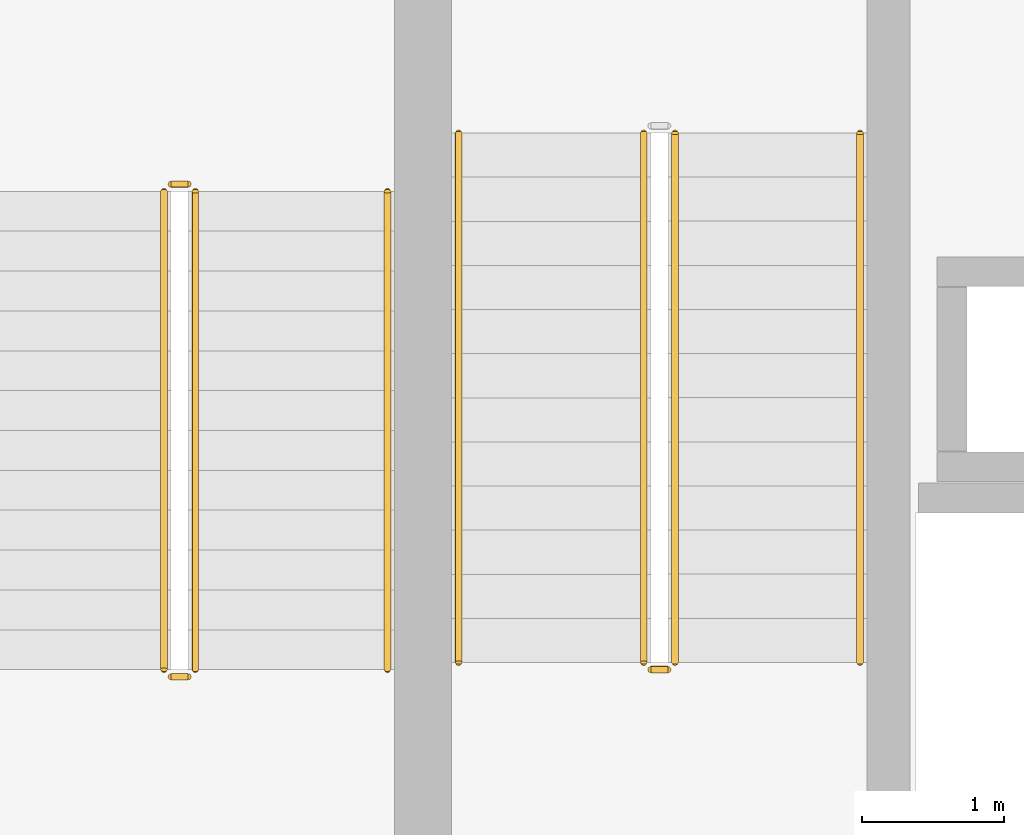
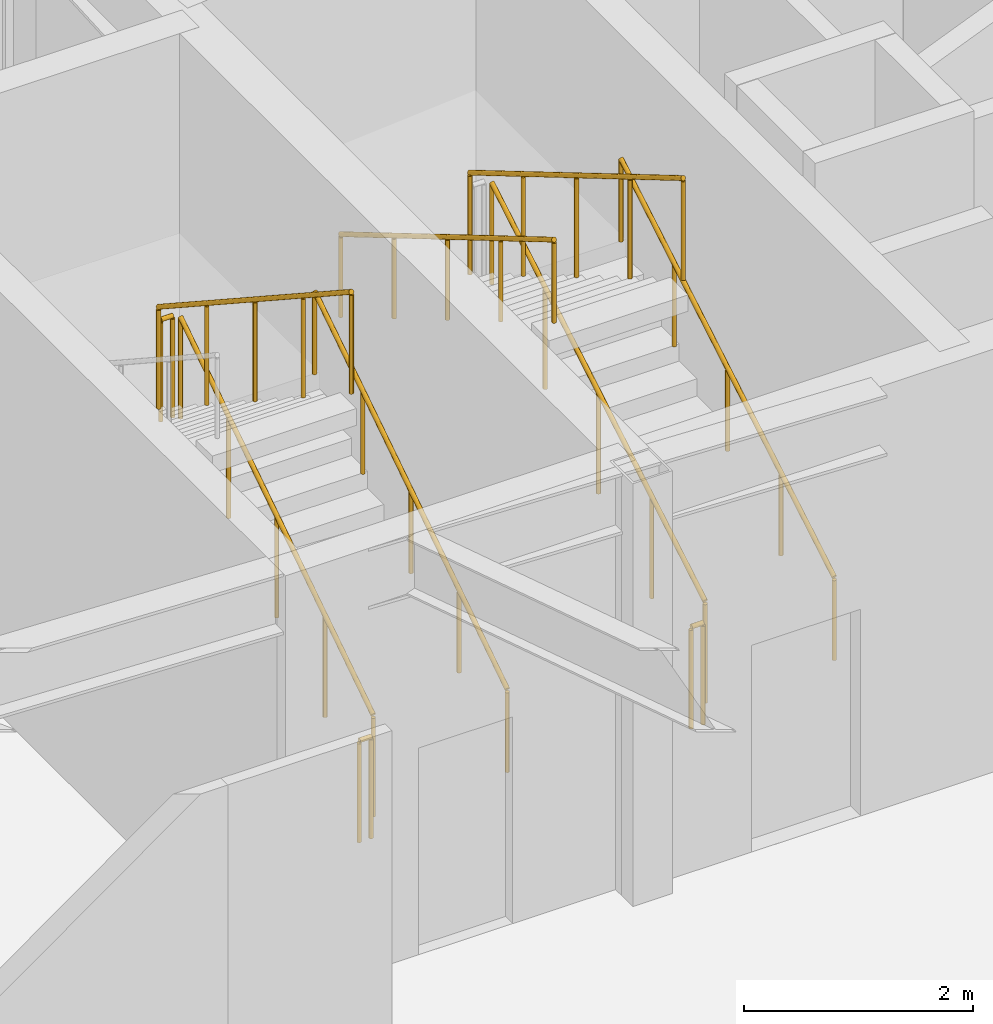
# One storey, part 25 of 30: 10 railings.
"""IFC4 building model written with IfcOpenShell, lengths in metres."""

import ifcopenshell
import ifcopenshell.guid

model = None  # the IFC model being written
_history = None  # IfcOwnerHistory: only IFC2X3 demands one
_inside = {}  # id of a spatial element -> (the spatial element, [elements in it])
_under = {}  # id of a project, library or spatial element -> (it, [spatial elements below it])
_declared = {}  # id of a project -> (the project, [libraries it declares])
_typed = {}  # id of a type object -> (the type object, [elements of that type])
_made_of = {}  # id of a material, layer set ... -> (it, [elements and type objects made of it])


def new_model(schema):
    """Start an empty IFC model of exactly this schema.

    Asked for "IFC4X3", IfcOpenShell would pick the latest addendum, in which some entities
    have other attributes; the version numbers below select the first issue.
    IFC2X3 requires an IfcOwnerHistory on every rooted entity: one is made here for all.
    """
    global model, _history
    if schema == "IFC4X3":
        model = ifcopenshell.file(schema_version=(4, 3, 0, 0))
    else:
        model = ifcopenshell.file(schema=schema)
    _inside.clear()
    _under.clear()
    _declared.clear()
    _typed.clear()
    _made_of.clear()
    _history = None
    if model.schema == "IFC2X3":
        org = make("IfcOrganization", Name="unknown")
        user = make(
            "IfcPersonAndOrganization",
            ThePerson=make("IfcPerson", FamilyName="unknown"),
            TheOrganization=org,
        )
        app = make(
            "IfcApplication",
            ApplicationDeveloper=org,
            Version="unknown",
            ApplicationFullName="unknown",
            ApplicationIdentifier="unknown",
        )
        _history = make(
            "IfcOwnerHistory",
            OwningUser=user,
            OwningApplication=app,
            ChangeAction="ADDED",
            CreationDate=0,
        )
    return model


def make(cls, **values):
    """One entity of the class cls with the attributes given. An attribute that is None is left unset."""
    return model.create_entity(
        cls, **{name: value for name, value in values.items() if value is not None}
    )


def rooted(cls, **values):
    """An entity with a GlobalId (a new one), such as an element, a storey or a relation."""
    return make(cls, GlobalId=ifcopenshell.guid.new(), OwnerHistory=_history, **values)


def si_unit(unit_type, name, prefix=None):
    """IfcSIUnit, for example si_unit("LENGTHUNIT", "METRE", prefix="MILLI")."""
    return make("IfcSIUnit", UnitType=unit_type, Prefix=prefix, Name=name)


def assignment(units):
    """IfcUnitAssignment: the units of a project."""
    return None if units is None else make("IfcUnitAssignment", Units=units)


def point(xyz):
    """IfcCartesianPoint."""
    return None if xyz is None else make("IfcCartesianPoint", Coordinates=xyz)


def direction(xyz):
    """IfcDirection."""
    return None if xyz is None else make("IfcDirection", DirectionRatios=xyz)


def frame(location, z_axis=None, x_axis=None):
    """IfcAxis2Placement3D, a coordinate frame: its origin and axes. An axis left out is left unset."""
    return make(
        "IfcAxis2Placement3D",
        Location=point(location),
        Axis=direction(z_axis),
        RefDirection=direction(x_axis),
    )


def frame_2d(location, x_axis=None):
    """IfcAxis2Placement2D, a coordinate frame in the plane: its origin and x axis."""
    return make(
        "IfcAxis2Placement2D", Location=point(location), RefDirection=direction(x_axis)
    )


def origin():
    """The frame at (0, 0, 0) with its axes left unset."""
    return frame((0.0, 0.0, 0.0))


def origin_2d():
    """The frame at (0, 0) in the plane with its x axis left unset."""
    return frame_2d((0.0, 0.0))


def place(relative_to, where):
    """IfcLocalPlacement: puts the frame where relative to a parent placement (None: the world)."""
    return make(
        "IfcLocalPlacement", PlacementRelTo=relative_to, RelativePlacement=where
    )


def context(
    kind, dimensions, precision=None, world=None, true_north=None, identifier=None
):
    """IfcGeometricRepresentationContext, for example the 3D "Model" context."""
    return make(
        "IfcGeometricRepresentationContext",
        ContextIdentifier=identifier,
        ContextType=kind,
        CoordinateSpaceDimension=dimensions,
        Precision=precision,
        WorldCoordinateSystem=world,
        TrueNorth=true_north,
    )


def subcontext(parent, identifier, kind, view, scale=None):
    """IfcGeometricRepresentationSubContext, for example "Body" below "Model"."""
    return make(
        "IfcGeometricRepresentationSubContext",
        ContextIdentifier=identifier,
        ContextType=kind,
        ParentContext=parent,
        TargetScale=scale,
        TargetView=view,
    )


def project(units=None, contexts=None):
    """IfcProject with its units and contexts."""
    return rooted(
        "IfcProject",
        Name="project",
        RepresentationContexts=contexts,
        UnitsInContext=assignment(units),
    )


def spatial(cls, under=None, at=None, **own):
    """A site, building, storey or space (cls), placed at a placement, below another one or the project."""
    s = rooted(cls, ObjectPlacement=at, **own)
    if under is not None:
        _under.setdefault(under.id(), (under, []))[1].append(s)
    return s


def profile(cls, at=None, kind="AREA", **sizes):
    """A parametric profile (cls). Its sizes go by their IFC names, for example OverallWidth=200.0."""
    return make(cls, ProfileType=kind, Position=at, **sizes)


def circle(**sizes):
    """IfcCircleProfileDef."""
    return profile("IfcCircleProfileDef", **sizes)


def extrude(swept, where, along, depth):
    """IfcExtrudedAreaSolid: the profile swept, set in the frame where, extruded along a direction by depth."""
    return make(
        "IfcExtrudedAreaSolid",
        SweptArea=swept,
        Position=where,
        ExtrudedDirection=direction(along),
        Depth=depth,
    )


def shape(context_of_items, identifier, shape_type, items):
    """IfcShapeRepresentation: the items that make up one representation, for example the "Body"."""
    return make(
        "IfcShapeRepresentation",
        ContextOfItems=context_of_items,
        RepresentationIdentifier=identifier,
        RepresentationType=shape_type,
        Items=items,
    )


def material(Name=None, Category=None):
    """IfcMaterial."""
    return make("IfcMaterial", Name=Name, Category=Category)


def made_of(thing, what):
    """Note that an element or type object is made of a material, layer set ...; save() writes the relation."""
    if what is not None:
        _made_of.setdefault(what.id(), (what, []))[1].append(thing)
    return thing


def type_object(cls, material=None, **own):
    """A type object (cls), such as IfcWallType, which elements share."""
    return made_of(rooted(cls, **own), material)


def element(
    cls,
    number,
    at=None,
    inside=None,
    cuts=None,
    type_object=None,
    material=None,
    context=None,
    identifier="Body",
    shape_type=None,
    held_by="IfcProductDefinitionShape",
    body=None,
    shapes=None,
    **own,
):
    """One element of the class cls, such as IfcWall. Its Tag is "e" and its number.

    at: its placement. inside: the storey or other place that contains it. cuts: it is an
    opening in that element (IfcRelVoidsElement). A single representation is given by context,
    identifier, shape_type and body (its items); several are given by shapes. held_by: the class
    of the entity that holds the representations. save() writes the other relations.
    """
    e = rooted(cls, Tag="e%d" % number, ObjectPlacement=at, **own)
    if body is not None:
        shapes = [shape(context, identifier, shape_type, body)]
    if shapes is not None:
        e.Representation = make(held_by, Representations=shapes)
    if inside is not None:
        _inside.setdefault(inside.id(), (inside, []))[1].append(e)
    if cuts is not None:
        rooted(
            "IfcRelVoidsElement", RelatingBuildingElement=cuts, RelatedOpeningElement=e
        )
    if type_object is not None:
        _typed.setdefault(type_object.id(), (type_object, []))[1].append(e)
    return made_of(e, material)


def aggregate(whole, parts):
    """IfcRelAggregates: a whole, such as a stair, and the parts it consists of."""
    return rooted("IfcRelAggregates", RelatingObject=whole, RelatedObjects=parts)


def save(model, path):
    """Write the relations noted so far, then the file.

    IfcRelAggregates (storeys below a building ...), IfcRelContainedInSpatialStructure (elements
    in a storey), IfcRelDefinesByType, IfcRelAssociatesMaterial and IfcRelDeclares: one each for
    every whole, place, type object, material and project.
    """
    for whole, parts in _under.values():
        aggregate(whole, parts)
    for where, things in _inside.values():
        rooted(
            "IfcRelContainedInSpatialStructure",
            RelatedElements=things,
            RelatingStructure=where,
        )
    for kind, things in _typed.values():
        rooted("IfcRelDefinesByType", RelatedObjects=things, RelatingType=kind)
    for what, things in _made_of.values():
        rooted("IfcRelAssociatesMaterial", RelatedObjects=things, RelatingMaterial=what)
    for by, libraries in _declared.values():
        rooted("IfcRelDeclares", RelatingContext=by, RelatedDefinitions=libraries)
    model.write(path)


model = new_model("IFC4")

# Units and contexts
model_context = context("Model", 3, precision=1e-05, world=origin(), true_north=direction((0.0, 1.0)))
body_context = subcontext(model_context, "Body", "Model", "MODEL_VIEW")
ifc_project = project(units=[si_unit("LENGTHUNIT", "METRE"), si_unit("AREAUNIT", "SQUARE_METRE"), si_unit("VOLUMEUNIT", "CUBIC_METRE"), si_unit("PLANEANGLEUNIT", "RADIAN"), si_unit("MASSUNIT", "GRAM", prefix="KILO")], contexts=[model_context])

# Site, building, storey
site_placement = place(None, origin())
site = spatial("IfcSite", under=ifc_project, at=site_placement, CompositionType="ELEMENT")
building_placement = place(site_placement, origin())
building = spatial("IfcBuilding", under=site, at=building_placement, Name="Zarrinselat Tower", CompositionType="ELEMENT")
storey_placement = place(building_placement, frame((0.0, 0.0, 22.780029296875)))
storey = spatial("IfcBuildingStorey", under=building, at=storey_placement, Name="L05", CompositionType="ELEMENT", Elevation=22.780029296875)

# Railings
ifc_material_1 = material(Name="Steel S355J2", Category="steel")
railing_type_1 = type_object("IfcRailingType", Name="RLG-STAIR-GUARD", PredefinedType="GUARDRAIL", material=ifc_material_1)
railing_1_placement = place(storey_placement, frame((30.3701171875, 35.0, 0.18310546875)))
element("IfcRailing", 1, at=railing_1_placement, inside=storey, type_object=railing_type_1, Name="L05 ST-1 stair guard 1", PredefinedType="GUARDRAIL", context=body_context, shape_type="SweptSolid", body=[
    extrude(circle(Radius=0.02392578125, at=origin_2d()), frame((0.0, 0.0, 1.076171875), z_axis=(0.0, 0.861067125239, 0.508491303596), x_axis=(-1.0, 0.0, 0.0)), (0.0, 0.0, 1.0), 4.320068359375),
    extrude(circle(Radius=0.02099609375, at=origin_2d()), origin(), (0.0, 0.0, 1.0), 1.050048828125),
    extrude(circle(Radius=0.02099609375, at=origin_2d()), frame((0.0, 0.929931640625, 0.54931640625)), (0.0, 0.0, 1.0), 1.050048828125),
    extrude(circle(Radius=0.02099609375, at=origin_2d()), frame((0.0, 1.85986328125, 1.098388671875)), (0.0, 0.0, 1.0), 1.050048828125),
    extrude(circle(Radius=0.02099609375, at=origin_2d()), frame((0.0, 2.7900390625, 1.6474609375)), (0.0, 0.0, 1.0), 1.050048828125),
    extrude(circle(Radius=0.02099609375, at=origin_2d()), frame((0.0, 3.719970703125, 2.19677734375)), (0.0, 0.0, 1.0), 1.050048828125),
])
railing_2_placement = place(storey_placement, frame((30.14990234375, 38.719970703125, 2.56298828125)))
element("IfcRailing", 2, at=railing_2_placement, inside=storey, type_object=railing_type_1, Name="L05 ST-1 stair guard 3", PredefinedType="GUARDRAIL", context=body_context, shape_type="SweptSolid", body=[
    extrude(circle(Radius=0.02392578125, at=origin_2d()), frame((0.0, 0.0, 1.076171875), z_axis=(0.0, -0.861042381604, 0.508533201553), x_axis=(1.0, 0.0, 0.0)), (0.0, 0.0, 1.0), 4.3203125),
    extrude(circle(Radius=0.02099609375, at=origin_2d()), origin(), (0.0, 0.0, 1.0), 1.050048828125),
    extrude(circle(Radius=0.02099609375, at=origin_2d()), frame((0.0, -0.929931640625, 0.54931640625)), (0.0, 0.0, 1.0), 1.050048828125),
    extrude(circle(Radius=0.02099609375, at=origin_2d()), frame((0.0, -1.85986328125, 1.0986328125)), (0.0, 0.0, 1.0), 1.050048828125),
    extrude(circle(Radius=0.02099609375, at=origin_2d()), frame((0.0, -2.7900390625, 1.647705078125)), (0.0, 0.0, 1.0), 1.050048828125),
    extrude(circle(Radius=0.02099609375, at=origin_2d()), frame((0.0, -3.719970703125, 2.197021484375)), (0.0, 0.0, 1.0), 1.050048828125),
])
railing_3_placement = place(storey_placement, frame((30.320068359375, 34.949951171875, 0.0)))
element("IfcRailing", 3, at=railing_3_placement, inside=storey, type_object=railing_type_1, Name="L05 ST-1 stair guard 4", PredefinedType="GUARDRAIL", context=body_context, shape_type="SweptSolid", body=[
    extrude(circle(Radius=0.02392578125, at=origin_2d()), frame((0.0, 0.0, 1.076171875), z_axis=(-1.0, 0.0, 0.0), x_axis=(0.0, -1.0, 0.0)), (0.0, 0.0, 1.0), 0.1201171875),
    extrude(circle(Radius=0.02099609375, at=origin_2d()), origin(), (0.0, 0.0, 1.0), 1.050048828125),
    extrude(circle(Radius=0.02099609375, at=origin_2d()), frame((-0.1201171875, 0.0, 0.0)), (0.0, 0.0, 1.0), 1.050048828125),
])
railing_4_placement = place(storey_placement, frame((27.0, 34.949951171875, 0.18310546875)))
element("IfcRailing", 4, at=railing_4_placement, inside=storey, type_object=railing_type_1, Name="L05 ST-3 stair guard 1", PredefinedType="GUARDRAIL", context=body_context, shape_type="SweptSolid", body=[
    extrude(circle(Radius=0.02392578125, at=origin_2d()), frame((0.0, 0.0, 1.076171875), z_axis=(0.0, 0.836994254152, 0.547211676151), x_axis=(-1.0, 0.0, 0.0)), (0.0, 0.0, 1.0), 4.014404296875),
    extrude(circle(Radius=0.02099609375, at=origin_2d()), origin(), (0.0, 0.0, 1.0), 1.050048828125),
    extrude(circle(Radius=0.02099609375, at=origin_2d()), frame((0.0, 0.840087890625, 0.54931640625)), (0.0, 0.0, 1.0), 1.050048828125),
    extrude(circle(Radius=0.02099609375, at=origin_2d()), frame((0.0, 1.68017578125, 1.098388671875)), (0.0, 0.0, 1.0), 1.050048828125),
    extrude(circle(Radius=0.02099609375, at=origin_2d()), frame((0.0, 2.52001953125, 1.6474609375)), (0.0, 0.0, 1.0), 1.050048828125),
    extrude(circle(Radius=0.02099609375, at=origin_2d()), frame((0.0, 3.360107421875, 2.19677734375)), (0.0, 0.0, 1.0), 1.050048828125),
])
railing_5_placement = place(storey_placement, frame((26.949951171875, 38.360107421875, 2.3798828125)))
element("IfcRailing", 5, at=railing_5_placement, inside=storey, type_object=railing_type_1, Name="L05 ST-3 stair guard 2", PredefinedType="GUARDRAIL", context=body_context, shape_type="SweptSolid", body=[
    extrude(circle(Radius=0.02392578125, at=origin_2d()), frame((0.0, 0.0, 1.076171875), z_axis=(-1.0, 0.0, 0.0), x_axis=(0.0, -1.0, 0.0)), (0.0, 0.0, 1.0), 0.119873046875),
    extrude(circle(Radius=0.02099609375, at=origin_2d()), origin(), (0.0, 0.0, 1.0), 1.050048828125),
    extrude(circle(Radius=0.02099609375, at=origin_2d()), frame((-0.119873046875, 0.0, 0.0)), (0.0, 0.0, 1.0), 1.050048828125),
])
railing_6_placement = place(storey_placement, frame((26.780029296875, 38.31005859375, 2.56298828125)))
element("IfcRailing", 6, at=railing_6_placement, inside=storey, type_object=railing_type_1, Name="L05 ST-3 stair guard 3", PredefinedType="GUARDRAIL", context=body_context, shape_type="SweptSolid", body=[
    extrude(circle(Radius=0.02392578125, at=origin_2d()), frame((0.0, 0.0, 1.076171875), z_axis=(0.0, -0.836966400019, 0.547254278411), x_axis=(1.0, 0.0, 0.0)), (0.0, 0.0, 1.0), 4.0146484375),
    extrude(circle(Radius=0.02099609375, at=origin_2d()), origin(), (0.0, 0.0, 1.0), 1.050048828125),
    extrude(circle(Radius=0.02099609375, at=origin_2d()), frame((0.0, -0.840087890625, 0.54931640625)), (0.0, 0.0, 1.0), 1.050048828125),
    extrude(circle(Radius=0.02099609375, at=origin_2d()), frame((0.0, -1.68017578125, 1.0986328125)), (0.0, 0.0, 1.0), 1.050048828125),
    extrude(circle(Radius=0.02099609375, at=origin_2d()), frame((0.0, -2.52001953125, 1.647705078125)), (0.0, 0.0, 1.0), 1.050048828125),
    extrude(circle(Radius=0.02099609375, at=origin_2d()), frame((0.0, -3.360107421875, 2.197021484375)), (0.0, 0.0, 1.0), 1.050048828125),
])
railing_7_placement = place(storey_placement, frame((26.949951171875, 34.89990234375, 0.0)))
element("IfcRailing", 7, at=railing_7_placement, inside=storey, type_object=railing_type_1, Name="L05 ST-3 stair guard 4", PredefinedType="GUARDRAIL", context=body_context, shape_type="SweptSolid", body=[
    extrude(circle(Radius=0.02392578125, at=origin_2d()), frame((0.0, 0.0, 1.076171875), z_axis=(-1.0, 0.0, 0.0), x_axis=(0.0, -1.0, 0.0)), (0.0, 0.0, 1.0), 0.119873046875),
    extrude(circle(Radius=0.02099609375, at=origin_2d()), origin(), (0.0, 0.0, 1.0), 1.050048828125),
    extrude(circle(Radius=0.02099609375, at=origin_2d()), frame((-0.119873046875, 0.0, 0.0)), (0.0, 0.0, 1.0), 1.050048828125),
])
ifc_material_2 = material(Name="Steel S355J2", Category="steel")
railing_type_2 = type_object("IfcRailingType", Name="RLG-STAIR-HAND", PredefinedType="HANDRAIL", material=ifc_material_2)
railing_8_placement = place(storey_placement, frame((31.669921875, 35.0, 0.18310546875)))
element("IfcRailing", 8, at=railing_8_placement, inside=storey, type_object=railing_type_2, Name="L05 ST-1 stair handrail 1", PredefinedType="HANDRAIL", context=body_context, shape_type="SweptSolid", body=[
    extrude(circle(Radius=0.02392578125, at=origin_2d()), frame((0.0, 0.0, 0.8759765625), z_axis=(0.0, 0.861067125239, 0.508491303596), x_axis=(-1.0, 0.0, 0.0)), (0.0, 0.0, 1.0), 4.320068359375),
    extrude(circle(Radius=0.02099609375, at=origin_2d()), origin(), (0.0, 0.0, 1.0), 0.849853515625),
    extrude(circle(Radius=0.02099609375, at=origin_2d()), frame((0.0, 0.929931640625, 0.54931640625)), (0.0, 0.0, 1.0), 0.849853515625),
    extrude(circle(Radius=0.02099609375, at=origin_2d()), frame((0.0, 1.85986328125, 1.098388671875)), (0.0, 0.0, 1.0), 0.849853515625),
    extrude(circle(Radius=0.02099609375, at=origin_2d()), frame((0.0, 2.7900390625, 1.6474609375)), (0.0, 0.0, 1.0), 0.849853515625),
    extrude(circle(Radius=0.02099609375, at=origin_2d()), frame((0.0, 3.719970703125, 2.19677734375)), (0.0, 0.0, 1.0), 0.849853515625),
])
railing_9_placement = place(storey_placement, frame((28.85009765625, 38.719970703125, 2.56298828125)))
element("IfcRailing", 9, at=railing_9_placement, inside=storey, type_object=railing_type_2, Name="L05 ST-1 stair handrail 2", PredefinedType="HANDRAIL", context=body_context, shape_type="SweptSolid", body=[
    extrude(circle(Radius=0.02392578125, at=origin_2d()), frame((0.0, 0.0, 0.8759765625), z_axis=(0.0, -0.861042381604, 0.508533201553), x_axis=(1.0, 0.0, 0.0)), (0.0, 0.0, 1.0), 4.3203125),
    extrude(circle(Radius=0.02099609375, at=origin_2d()), origin(), (0.0, 0.0, 1.0), 0.849853515625),
    extrude(circle(Radius=0.02099609375, at=origin_2d()), frame((0.0, -0.929931640625, 0.54931640625)), (0.0, 0.0, 1.0), 0.849853515625),
    extrude(circle(Radius=0.02099609375, at=origin_2d()), frame((0.0, -1.85986328125, 1.0986328125)), (0.0, 0.0, 1.0), 0.849853515625),
    extrude(circle(Radius=0.02099609375, at=origin_2d()), frame((0.0, -2.7900390625, 1.647705078125)), (0.0, 0.0, 1.0), 0.849853515625),
    extrude(circle(Radius=0.02099609375, at=origin_2d()), frame((0.0, -3.719970703125, 2.197021484375)), (0.0, 0.0, 1.0), 0.849853515625),
])
railing_10_placement = place(storey_placement, frame((28.35009765625, 34.949951171875, 0.18310546875)))
element("IfcRailing", 10, at=railing_10_placement, inside=storey, type_object=railing_type_2, Name="L05 ST-3 stair handrail 1", PredefinedType="HANDRAIL", context=body_context, shape_type="SweptSolid", body=[
    extrude(circle(Radius=0.02392578125, at=origin_2d()), frame((0.0, 0.0, 0.8759765625), z_axis=(0.0, 0.836994254152, 0.547211676151), x_axis=(-1.0, 0.0, 0.0)), (0.0, 0.0, 1.0), 4.014404296875),
    extrude(circle(Radius=0.02099609375, at=origin_2d()), origin(), (0.0, 0.0, 1.0), 0.849853515625),
    extrude(circle(Radius=0.02099609375, at=origin_2d()), frame((0.0, 0.840087890625, 0.54931640625)), (0.0, 0.0, 1.0), 0.849853515625),
    extrude(circle(Radius=0.02099609375, at=origin_2d()), frame((0.0, 1.68017578125, 1.098388671875)), (0.0, 0.0, 1.0), 0.849853515625),
    extrude(circle(Radius=0.02099609375, at=origin_2d()), frame((0.0, 2.52001953125, 1.6474609375)), (0.0, 0.0, 1.0), 0.849853515625),
    extrude(circle(Radius=0.02099609375, at=origin_2d()), frame((0.0, 3.360107421875, 2.19677734375)), (0.0, 0.0, 1.0), 0.849853515625),
])

save(model, "model.ifc")
